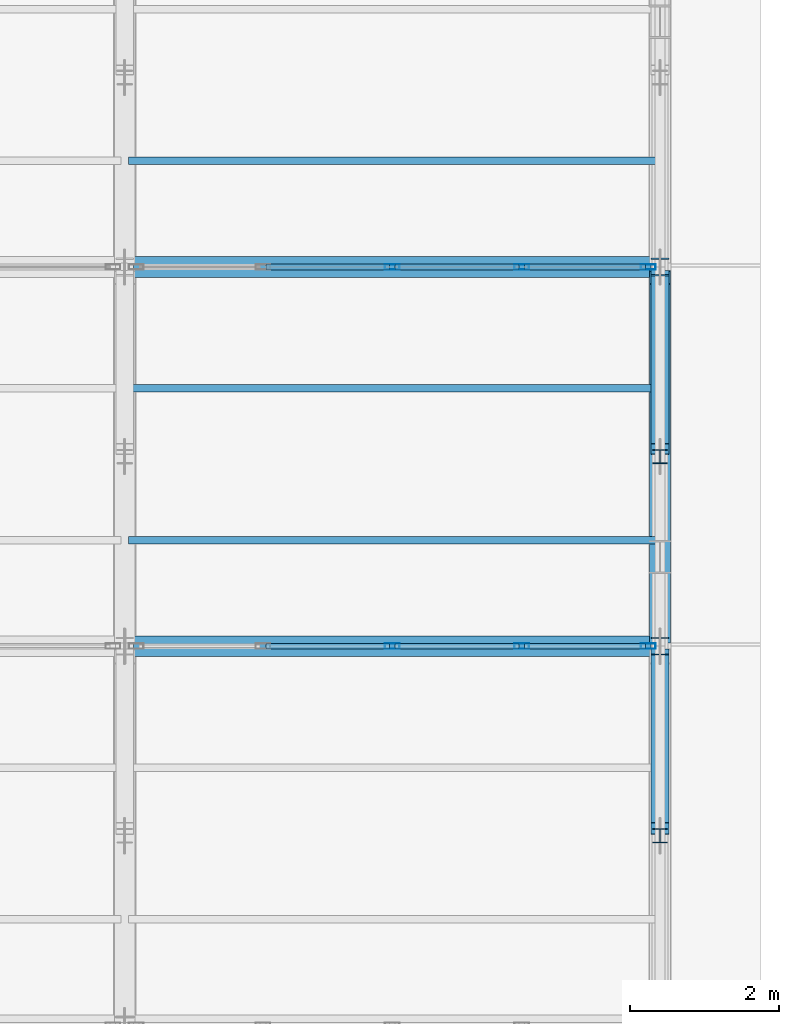
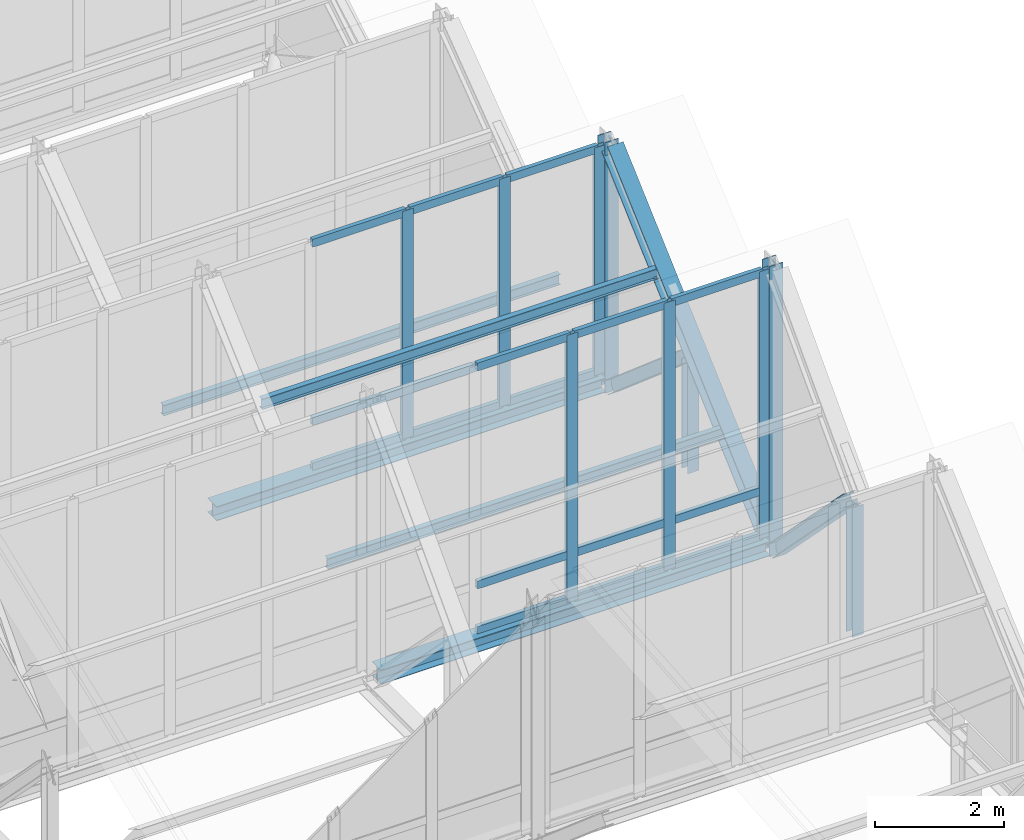
# One storey, part 67 of 157: 34 members, 2 beams, 2 elements without a shape of their own.
"""IFC4 building model written with IfcOpenShell, lengths in metres."""

from ifc_helpers import new_model, si_unit, direction, frame, origin, origin_2d, place, context, subcontext, project, spatial, hollow_rectangle, i_section, extrude, material, material_profile, profile_set, type_object, element, aggregate, save


model = new_model("IFC4")

# Units and contexts
model_context = context("Model", 3, precision=1e-05, world=origin(), true_north=direction((0.0, 1.0)))
body_context = subcontext(model_context, "Body", "Model", "MODEL_VIEW")
ifc_project = project(units=[si_unit("LENGTHUNIT", "METRE"), si_unit("AREAUNIT", "SQUARE_METRE"), si_unit("VOLUMEUNIT", "CUBIC_METRE"), si_unit("PLANEANGLEUNIT", "RADIAN"), si_unit("MASSUNIT", "GRAM", prefix="KILO")], contexts=[model_context])

# Site, building, storey
site_placement = place(None, origin())
site = spatial("IfcSite", under=ifc_project, at=site_placement, CompositionType="ELEMENT")
building_placement = place(site_placement, origin())
building = spatial("IfcBuilding", under=site, at=building_placement, Name="Suanplinth Sawtooth Commons", CompositionType="ELEMENT")
storey_placement = place(building_placement, frame((0.0, 0.0, 9.0)))
storey = spatial("IfcBuildingStorey", under=building, at=storey_placement, Name="L02", CompositionType="ELEMENT", Elevation=9.0)

# Beams
ifc_material_1 = material(Name="Steel S355JR", Category="steel")
ifc_material_profile_1 = material_profile(ifc_material_1, i_section(OverallWidth=0.280029296875, OverallDepth=0.27001953125, WebThickness=0.008056640625, FlangeThickness=0.012939453125, at=origin_2d()), Name="HEA 280")
ifc_profile_set_1 = profile_set([ifc_material_profile_1], Name="Steel S355JR")
beam_type = type_object("IfcBeamType", Name="B-16", PredefinedType="USERDEFINED", material=ifc_profile_set_1)
for number, where, z_axis, x_axis, name in (
    (1, (108.1201171875, 70.800048828125, 2.820068359375), (1.0, 0.0, 0.0), (0.0, 1.0, 0.0), "Sawtooth Valley Girder T5-B7"),
    (2, (108.1201171875, 75.89990234375, 2.820068359375), (1.0, 0.0, 0.0), (0.0, 1.0, 0.0), "Sawtooth Valley Girder T6-B7"),
):
    element("IfcBeam", number, at=place(storey_placement, frame(where, z_axis=z_axis, x_axis=x_axis)), inside=storey, type_object=beam_type, Name=name, ObjectType="GIRDER", PredefinedType="USERDEFINED", context=body_context, shape_type="SweptSolid", body=[
        extrude(i_section(OverallWidth=0.280029296875, OverallDepth=0.27001953125, WebThickness=0.008056640625, FlangeThickness=0.012939453125, at=origin_2d()), origin(), (0.0, 0.0, 1.0), 6.9599609375),
    ])

# Members
ifc_material_profile_2 = material_profile(ifc_material_1, i_section(OverallWidth=0.280029296875, OverallDepth=0.280029296875, WebThickness=0.010498046875, FlangeThickness=0.01806640625, at=origin_2d()), Name="HEB 280")
ifc_profile_set_2 = profile_set([ifc_material_profile_2], Name="Steel S355JR")
member_type_1 = type_object("IfcMemberType", Name="M-02", PredefinedType="CHORD", material=ifc_profile_set_2)
member_1_placement = place(storey_placement, frame((115.199951171875, 70.93994140625, 2.919921875), z_axis=(0.0, 0.740839311711, 0.671682301556), x_axis=(-1.0, 0.0, 0.0)))
element("IfcMember", 3, at=member_1_placement, inside=storey, type_object=member_type_1, Name="Sawtooth Truss T8 Top Chord 5", PredefinedType="CHORD", context=body_context, shape_type="SweptSolid", body=[
    extrude(i_section(OverallWidth=0.280029296875, OverallDepth=0.280029296875, WebThickness=0.010498046875, FlangeThickness=0.01806640625, at=origin_2d()), origin(), (0.0, 0.0, 1.0), 6.50634765625),
])
ifc_material_profile_3 = material_profile(ifc_material_1, i_section(OverallWidth=0.239990234375, OverallDepth=0.22998046875, WebThickness=0.007568359375, FlangeThickness=0.011962890625, at=origin_2d()), Name="HEA 240")
ifc_profile_set_3 = profile_set([ifc_material_profile_3], Name="Steel S355JR")
member_type_2 = type_object("IfcMemberType", Name="M-03", PredefinedType="BRACE", material=ifc_profile_set_3)
member_2_placement = place(storey_placement, frame((115.199951171875, 68.35009765625, 5.1201171875), z_axis=(0.0, 0.701020432133, -0.713141187797), x_axis=(-1.0, 0.0, 0.0)))
element("IfcMember", 4, at=member_2_placement, inside=storey, type_object=member_type_2, Name="Sawtooth Truss T8 Web Diagonal 4", PredefinedType="BRACE", context=body_context, shape_type="SweptSolid", body=[
    extrude(i_section(OverallWidth=0.239990234375, OverallDepth=0.22998046875, WebThickness=0.007568359375, FlangeThickness=0.011962890625, at=origin_2d()), origin(), (0.0, 0.0, 1.0), 3.323486328125),
])
member_3_placement = place(storey_placement, frame((115.199951171875, 73.449951171875, 4.7451171875), z_axis=(0.0, 0.759593581641, -0.65039802485), x_axis=(-1.0, 0.0, 0.0)))
element("IfcMember", 5, at=member_3_placement, inside=storey, type_object=member_type_2, Name="Sawtooth Truss T8 Web Diagonal 5", PredefinedType="BRACE", context=body_context, shape_type="SweptSolid", body=[
    extrude(i_section(OverallWidth=0.239990234375, OverallDepth=0.22998046875, WebThickness=0.007568359375, FlangeThickness=0.011962890625, at=origin_2d()), origin(), (0.0, 0.0, 1.0), 3.067626953125),
])
ifc_material_profile_4 = material_profile(ifc_material_1, i_section(OverallWidth=0.199951171875, OverallDepth=0.18994140625, WebThickness=0.006591796875, FlangeThickness=0.010009765625, at=origin_2d()), Name="HEA 200")
ifc_profile_set_4 = profile_set([ifc_material_profile_4], Name="Steel S355JR")
member_type_3 = type_object("IfcMemberType", Name="M-04", PredefinedType="BRACE", material=ifc_profile_set_4)
member_4_placement = place(storey_placement, frame((115.199951171875, 68.25, 2.64990234375), z_axis=(0.0, 0.0, 1.0), x_axis=(1.0, 0.0, 0.0)))
element("IfcMember", 6, at=member_4_placement, inside=storey, type_object=member_type_3, Name="Sawtooth Truss T8 Mid Web Post 4", PredefinedType="BRACE", context=body_context, shape_type="SweptSolid", body=[
    extrude(i_section(OverallWidth=0.199951171875, OverallDepth=0.18994140625, WebThickness=0.006591796875, FlangeThickness=0.010009765625, at=origin_2d()), origin(), (0.0, 0.0, 1.0), 2.4501953125),
])
member_5_placement = place(storey_placement, frame((115.199951171875, 73.35009765625, 2.64990234375), z_axis=(0.0, 0.0, 1.0), x_axis=(1.0, 0.0, 0.0)))
element("IfcMember", 7, at=member_5_placement, inside=storey, type_object=member_type_3, Name="Sawtooth Truss T8 Mid Web Post 5", PredefinedType="BRACE", context=body_context, shape_type="SweptSolid", body=[
    extrude(i_section(OverallWidth=0.199951171875, OverallDepth=0.18994140625, WebThickness=0.006591796875, FlangeThickness=0.010009765625, at=origin_2d()), origin(), (0.0, 0.0, 1.0), 2.0751953125),
])
ifc_material_profile_5 = material_profile(ifc_material_1, i_section(OverallWidth=0.239990234375, OverallDepth=0.239990234375, WebThickness=0.010009765625, FlangeThickness=0.01708984375, at=origin_2d()), Name="HEB 240")
ifc_profile_set_5 = profile_set([ifc_material_profile_5], Name="Steel S355JR")
member_type_4 = type_object("IfcMemberType", Name="M-05", PredefinedType="POST", material=ifc_profile_set_5)
member_6_placement = place(storey_placement, frame((115.199951171875, 70.800048828125, 2.64990234375), z_axis=(0.0, 0.0, 1.0), x_axis=(1.0, 0.0, 0.0)))
element("IfcMember", 8, at=member_6_placement, inside=storey, type_object=member_type_4, Name="Sawtooth Truss T8 Clerestory Post 4", PredefinedType="POST", context=body_context, shape_type="SweptSolid", body=[
    extrude(i_section(OverallWidth=0.239990234375, OverallDepth=0.239990234375, WebThickness=0.010009765625, FlangeThickness=0.01708984375, at=origin_2d()), origin(), (0.0, 0.0, 1.0), 5.489990234375),
])
member_7_placement = place(storey_placement, frame((115.199951171875, 75.89990234375, 2.64990234375), z_axis=(0.0, 0.0, 1.0), x_axis=(1.0, 0.0, 0.0)))
element("IfcMember", 9, at=member_7_placement, inside=storey, type_object=member_type_4, Name="Sawtooth Truss T8 Clerestory Post 5", PredefinedType="POST", context=body_context, shape_type="SweptSolid", body=[
    extrude(i_section(OverallWidth=0.239990234375, OverallDepth=0.239990234375, WebThickness=0.010009765625, FlangeThickness=0.01708984375, at=origin_2d()), origin(), (0.0, 0.0, 1.0), 4.739990234375),
])
ifc_material_2 = material(Name="Steel SS400", Category="steel")
ifc_material_profile_6 = material_profile(ifc_material_2, i_section(OverallWidth=0.10009765625, OverallDepth=0.199951171875, WebThickness=0.005615234375, FlangeThickness=0.008544921875, at=origin_2d()), Name="IPE 200")
ifc_profile_set_6 = profile_set([ifc_material_profile_6], Name="Steel SS400")
member_type_5 = type_object("IfcMemberType", Name="M-06", PredefinedType="PURLIN", material=ifc_profile_set_6)
for number, where, z_axis, x_axis, name in (
    (10, (108.050048828125, 72.22802734375, 4.067138671875), (1.0, 0.0, 0.0), (0.0, 1.0, 0.0), "Sawtooth Roof Purlin T5-B7-P1"),
    (11, (108.050048828125, 74.26806640625, 5.84716796875), (1.0, 0.0, 0.0), (0.0, 1.0, 0.0), "Sawtooth Roof Purlin T5-B7-P2"),
    (12, (108.050048828125, 77.327880859375, 3.87353515625), (1.0, 0.0, 0.0), (0.0, 1.0, 0.0), "Sawtooth Roof Purlin T6-B7-P1"),
):
    element("IfcMember", number, at=place(storey_placement, frame(where, z_axis=z_axis, x_axis=x_axis)), inside=storey, type_object=member_type_5, Name=name, PredefinedType="PURLIN", context=body_context, shape_type="SweptSolid", body=[
        extrude(i_section(OverallWidth=0.10009765625, OverallDepth=0.199951171875, WebThickness=0.005615234375, FlangeThickness=0.008544921875, at=origin_2d()), origin(), (0.0, 0.0, 1.0), 7.099853515625),
    ])

# Curtain wall, members
ifc_material_3 = material(Name="Anodized aluminium and low-E glazing", Category="aluminium")
curtain_wall_type = type_object("IfcCurtainWallType", Name="CW-03", PredefinedType="USERDEFINED", material=ifc_material_3)
curtain_wall_1_placement = place(storey_placement, origin())
curtain_wall_1 = element("IfcCurtainWall", 13, at=curtain_wall_1_placement, inside=storey, type_object=curtain_wall_type, Name="Curtain Wall CW-SAW-T4-B7", ObjectType="CURTAIN WALL", PredefinedType="USERDEFINED")
ifc_material_4 = material(Name="Anodized aluminium 6063-T6", Category="aluminium")
ifc_material_profile_7 = material_profile(ifc_material_4, hollow_rectangle(XDim=0.074951171875, YDim=0.199951171875, WallThickness=0.0048828125, at=origin_2d()), Name="ALU-MUL 75x200")
ifc_profile_set_7 = profile_set([ifc_material_profile_7], Name="Anodized aluminium 6063-T6")
member_type_6 = type_object("IfcMemberType", Name="M-14", PredefinedType="MULLION", material=ifc_profile_set_7)
member_8_placement = place(storey_placement, frame((111.60009765625, 70.800048828125, 2.97998046875), z_axis=(0.0, 0.0, 1.0), x_axis=(0.0, 1.0, 0.0)))
member_8 = element("IfcMember", 14, at=member_8_placement, type_object=member_type_6, Name="CW-03 mullion 3", PredefinedType="MULLION", context=body_context, shape_type="SweptSolid", body=[
    extrude(hollow_rectangle(XDim=0.074951171875, YDim=0.199951171875, WallThickness=0.0048828125, at=origin_2d()), origin(), (0.0, 0.0, 1.0), 5.06005859375),
])
member_9_placement = place(storey_placement, frame((113.340087890625, 70.800048828125, 2.97998046875), z_axis=(0.0, 0.0, 1.0), x_axis=(0.0, 1.0, 0.0)))
member_9 = element("IfcMember", 15, at=member_9_placement, type_object=member_type_6, Name="CW-03 mullion 4", PredefinedType="MULLION", context=body_context, shape_type="SweptSolid", body=[
    extrude(hollow_rectangle(XDim=0.074951171875, YDim=0.199951171875, WallThickness=0.0048828125, at=origin_2d()), origin(), (0.0, 0.0, 1.0), 5.06005859375),
])
member_10_placement = place(storey_placement, frame((115.04248046875, 70.800048828125, 2.97998046875), z_axis=(0.0, 0.0, 1.0), x_axis=(0.0, 1.0, 0.0)))
member_10 = element("IfcMember", 16, at=member_10_placement, type_object=member_type_6, Name="CW-03 mullion 5", PredefinedType="MULLION", context=body_context, shape_type="SweptSolid", body=[
    extrude(hollow_rectangle(XDim=0.074951171875, YDim=0.199951171875, WallThickness=0.0048828125, at=origin_2d()), origin(), (0.0, 0.0, 1.0), 5.06005859375),
])

curtain_wall_2_placement = place(storey_placement, origin())
curtain_wall_2 = element("IfcCurtainWall", 17, at=curtain_wall_2_placement, inside=storey, type_object=curtain_wall_type, Name="Curtain Wall CW-SAW-T5-B7", ObjectType="CURTAIN WALL", PredefinedType="USERDEFINED")
member_11_placement = place(storey_placement, frame((111.60009765625, 75.89990234375, 2.97998046875), z_axis=(0.0, 0.0, 1.0), x_axis=(0.0, 1.0, 0.0)))
member_11 = element("IfcMember", 18, at=member_11_placement, type_object=member_type_6, Name="CW-03 mullion 3", PredefinedType="MULLION", context=body_context, shape_type="SweptSolid", body=[
    extrude(hollow_rectangle(XDim=0.074951171875, YDim=0.199951171875, WallThickness=0.0048828125, at=origin_2d()), origin(), (0.0, 0.0, 1.0), 4.31005859375),
])
member_12_placement = place(storey_placement, frame((113.340087890625, 75.89990234375, 2.97998046875), z_axis=(0.0, 0.0, 1.0), x_axis=(0.0, 1.0, 0.0)))
member_12 = element("IfcMember", 19, at=member_12_placement, type_object=member_type_6, Name="CW-03 mullion 4", PredefinedType="MULLION", context=body_context, shape_type="SweptSolid", body=[
    extrude(hollow_rectangle(XDim=0.074951171875, YDim=0.199951171875, WallThickness=0.0048828125, at=origin_2d()), origin(), (0.0, 0.0, 1.0), 4.31005859375),
])
member_13_placement = place(storey_placement, frame((115.04248046875, 75.89990234375, 2.97998046875), z_axis=(0.0, 0.0, 1.0), x_axis=(0.0, 1.0, 0.0)))
member_13 = element("IfcMember", 20, at=member_13_placement, type_object=member_type_6, Name="CW-03 mullion 5", PredefinedType="MULLION", context=body_context, shape_type="SweptSolid", body=[
    extrude(hollow_rectangle(XDim=0.074951171875, YDim=0.199951171875, WallThickness=0.0048828125, at=origin_2d()), origin(), (0.0, 0.0, 1.0), 4.31005859375),
])

# Member
ifc_material_profile_8 = material_profile(ifc_material_4, hollow_rectangle(XDim=0.074951171875, YDim=0.14990234375, WallThickness=0.00439453125, at=origin_2d()), Name="ALU-TRN 75x150")
ifc_profile_set_8 = profile_set([ifc_material_profile_8], Name="Anodized aluminium 6063-T6")
member_type_7 = type_object("IfcMemberType", Name="M-16", PredefinedType="USERDEFINED", material=ifc_profile_set_8)
member_14_placement = place(storey_placement, frame((109.8974609375, 70.800048828125, 3.017578125), z_axis=(1.0, 0.0, 0.0), x_axis=(0.0, 1.0, 0.0)))
member_14 = element("IfcMember", 21, at=member_14_placement, type_object=member_type_7, Name="CW-03 transom 2.1", ObjectType="TRANSOM", PredefinedType="USERDEFINED", context=body_context, shape_type="SweptSolid", body=[
    extrude(hollow_rectangle(XDim=0.074951171875, YDim=0.14990234375, WallThickness=0.00439453125, at=origin_2d()), origin(), (0.0, 0.0, 1.0), 1.6650390625),
])

member_15_placement = place(storey_placement, frame((109.8974609375, 70.800048828125, 3.8798828125), z_axis=(1.0, 0.0, 0.0), x_axis=(0.0, 1.0, 0.0)))
member_15 = element("IfcMember", 22, at=member_15_placement, type_object=member_type_7, Name="CW-03 transom 2.2", ObjectType="TRANSOM", PredefinedType="USERDEFINED", context=body_context, shape_type="SweptSolid", body=[
    extrude(hollow_rectangle(XDim=0.074951171875, YDim=0.14990234375, WallThickness=0.00439453125, at=origin_2d()), origin(), (0.0, 0.0, 1.0), 1.6650390625),
])

member_16_placement = place(storey_placement, frame((109.8974609375, 70.800048828125, 8.00244140625), z_axis=(1.0, 0.0, 0.0), x_axis=(0.0, 1.0, 0.0)))
member_16 = element("IfcMember", 23, at=member_16_placement, type_object=member_type_7, Name="CW-03 transom 2.3", ObjectType="TRANSOM", PredefinedType="USERDEFINED", context=body_context, shape_type="SweptSolid", body=[
    extrude(hollow_rectangle(XDim=0.074951171875, YDim=0.14990234375, WallThickness=0.00439453125, at=origin_2d()), origin(), (0.0, 0.0, 1.0), 1.6650390625),
])

member_17_placement = place(storey_placement, frame((111.637451171875, 70.800048828125, 3.017578125), z_axis=(1.0, 0.0, 0.0), x_axis=(0.0, 1.0, 0.0)))
member_17 = element("IfcMember", 24, at=member_17_placement, type_object=member_type_7, Name="CW-03 transom 3.1", ObjectType="TRANSOM", PredefinedType="USERDEFINED", context=body_context, shape_type="SweptSolid", body=[
    extrude(hollow_rectangle(XDim=0.074951171875, YDim=0.14990234375, WallThickness=0.00439453125, at=origin_2d()), origin(), (0.0, 0.0, 1.0), 1.6650390625),
])

member_18_placement = place(storey_placement, frame((111.637451171875, 70.800048828125, 3.8798828125), z_axis=(1.0, 0.0, 0.0), x_axis=(0.0, 1.0, 0.0)))
member_18 = element("IfcMember", 25, at=member_18_placement, type_object=member_type_7, Name="CW-03 transom 3.2", ObjectType="TRANSOM", PredefinedType="USERDEFINED", context=body_context, shape_type="SweptSolid", body=[
    extrude(hollow_rectangle(XDim=0.074951171875, YDim=0.14990234375, WallThickness=0.00439453125, at=origin_2d()), origin(), (0.0, 0.0, 1.0), 1.6650390625),
])

member_19_placement = place(storey_placement, frame((111.637451171875, 70.800048828125, 8.00244140625), z_axis=(1.0, 0.0, 0.0), x_axis=(0.0, 1.0, 0.0)))
member_19 = element("IfcMember", 26, at=member_19_placement, type_object=member_type_7, Name="CW-03 transom 3.3", ObjectType="TRANSOM", PredefinedType="USERDEFINED", context=body_context, shape_type="SweptSolid", body=[
    extrude(hollow_rectangle(XDim=0.074951171875, YDim=0.14990234375, WallThickness=0.00439453125, at=origin_2d()), origin(), (0.0, 0.0, 1.0), 1.6650390625),
])

member_20_placement = place(storey_placement, frame((113.37744140625, 70.800048828125, 3.017578125), z_axis=(1.0, 0.0, 0.0), x_axis=(0.0, 1.0, 0.0)))
member_20 = element("IfcMember", 27, at=member_20_placement, type_object=member_type_7, Name="CW-03 transom 4.1", ObjectType="TRANSOM", PredefinedType="USERDEFINED", context=body_context, shape_type="SweptSolid", body=[
    extrude(hollow_rectangle(XDim=0.074951171875, YDim=0.14990234375, WallThickness=0.00439453125, at=origin_2d()), origin(), (0.0, 0.0, 1.0), 1.62744140625),
])

member_21_placement = place(storey_placement, frame((113.37744140625, 70.800048828125, 3.8798828125), z_axis=(1.0, 0.0, 0.0), x_axis=(0.0, 1.0, 0.0)))
member_21 = element("IfcMember", 28, at=member_21_placement, type_object=member_type_7, Name="CW-03 transom 4.2", ObjectType="TRANSOM", PredefinedType="USERDEFINED", context=body_context, shape_type="SweptSolid", body=[
    extrude(hollow_rectangle(XDim=0.074951171875, YDim=0.14990234375, WallThickness=0.00439453125, at=origin_2d()), origin(), (0.0, 0.0, 1.0), 1.62744140625),
])

member_22_placement = place(storey_placement, frame((113.37744140625, 70.800048828125, 8.00244140625), z_axis=(1.0, 0.0, 0.0), x_axis=(0.0, 1.0, 0.0)))
member_22 = element("IfcMember", 29, at=member_22_placement, type_object=member_type_7, Name="CW-03 transom 4.3", ObjectType="TRANSOM", PredefinedType="USERDEFINED", context=body_context, shape_type="SweptSolid", body=[
    extrude(hollow_rectangle(XDim=0.074951171875, YDim=0.14990234375, WallThickness=0.00439453125, at=origin_2d()), origin(), (0.0, 0.0, 1.0), 1.62744140625),
])

aggregate(curtain_wall_1, [member_8, member_9, member_10, member_14, member_15, member_16, member_17, member_18, member_19, member_20, member_21, member_22])

member_23_placement = place(storey_placement, frame((109.8974609375, 75.89990234375, 3.017578125), z_axis=(1.0, 0.0, 0.0), x_axis=(0.0, 1.0, 0.0)))
member_23 = element("IfcMember", 30, at=member_23_placement, type_object=member_type_7, Name="CW-03 transom 2.1", ObjectType="TRANSOM", PredefinedType="USERDEFINED", context=body_context, shape_type="SweptSolid", body=[
    extrude(hollow_rectangle(XDim=0.074951171875, YDim=0.14990234375, WallThickness=0.00439453125, at=origin_2d()), origin(), (0.0, 0.0, 1.0), 1.6650390625),
])

member_24_placement = place(storey_placement, frame((109.8974609375, 75.89990234375, 3.8798828125), z_axis=(1.0, 0.0, 0.0), x_axis=(0.0, 1.0, 0.0)))
member_24 = element("IfcMember", 31, at=member_24_placement, type_object=member_type_7, Name="CW-03 transom 2.2", ObjectType="TRANSOM", PredefinedType="USERDEFINED", context=body_context, shape_type="SweptSolid", body=[
    extrude(hollow_rectangle(XDim=0.074951171875, YDim=0.14990234375, WallThickness=0.00439453125, at=origin_2d()), origin(), (0.0, 0.0, 1.0), 1.6650390625),
])

member_25_placement = place(storey_placement, frame((109.8974609375, 75.89990234375, 7.25244140625), z_axis=(1.0, 0.0, 0.0), x_axis=(0.0, 1.0, 0.0)))
member_25 = element("IfcMember", 32, at=member_25_placement, type_object=member_type_7, Name="CW-03 transom 2.3", ObjectType="TRANSOM", PredefinedType="USERDEFINED", context=body_context, shape_type="SweptSolid", body=[
    extrude(hollow_rectangle(XDim=0.074951171875, YDim=0.14990234375, WallThickness=0.00439453125, at=origin_2d()), origin(), (0.0, 0.0, 1.0), 1.6650390625),
])

member_26_placement = place(storey_placement, frame((111.637451171875, 75.89990234375, 3.017578125), z_axis=(1.0, 0.0, 0.0), x_axis=(0.0, 1.0, 0.0)))
member_26 = element("IfcMember", 33, at=member_26_placement, type_object=member_type_7, Name="CW-03 transom 3.1", ObjectType="TRANSOM", PredefinedType="USERDEFINED", context=body_context, shape_type="SweptSolid", body=[
    extrude(hollow_rectangle(XDim=0.074951171875, YDim=0.14990234375, WallThickness=0.00439453125, at=origin_2d()), origin(), (0.0, 0.0, 1.0), 1.6650390625),
])

member_27_placement = place(storey_placement, frame((111.637451171875, 75.89990234375, 3.8798828125), z_axis=(1.0, 0.0, 0.0), x_axis=(0.0, 1.0, 0.0)))
member_27 = element("IfcMember", 34, at=member_27_placement, type_object=member_type_7, Name="CW-03 transom 3.2", ObjectType="TRANSOM", PredefinedType="USERDEFINED", context=body_context, shape_type="SweptSolid", body=[
    extrude(hollow_rectangle(XDim=0.074951171875, YDim=0.14990234375, WallThickness=0.00439453125, at=origin_2d()), origin(), (0.0, 0.0, 1.0), 1.6650390625),
])

member_28_placement = place(storey_placement, frame((111.637451171875, 75.89990234375, 7.25244140625), z_axis=(1.0, 0.0, 0.0), x_axis=(0.0, 1.0, 0.0)))
member_28 = element("IfcMember", 35, at=member_28_placement, type_object=member_type_7, Name="CW-03 transom 3.3", ObjectType="TRANSOM", PredefinedType="USERDEFINED", context=body_context, shape_type="SweptSolid", body=[
    extrude(hollow_rectangle(XDim=0.074951171875, YDim=0.14990234375, WallThickness=0.00439453125, at=origin_2d()), origin(), (0.0, 0.0, 1.0), 1.6650390625),
])

member_29_placement = place(storey_placement, frame((113.37744140625, 75.89990234375, 3.017578125), z_axis=(1.0, 0.0, 0.0), x_axis=(0.0, 1.0, 0.0)))
member_29 = element("IfcMember", 36, at=member_29_placement, type_object=member_type_7, Name="CW-03 transom 4.1", ObjectType="TRANSOM", PredefinedType="USERDEFINED", context=body_context, shape_type="SweptSolid", body=[
    extrude(hollow_rectangle(XDim=0.074951171875, YDim=0.14990234375, WallThickness=0.00439453125, at=origin_2d()), origin(), (0.0, 0.0, 1.0), 1.62744140625),
])

member_30_placement = place(storey_placement, frame((113.37744140625, 75.89990234375, 3.8798828125), z_axis=(1.0, 0.0, 0.0), x_axis=(0.0, 1.0, 0.0)))
member_30 = element("IfcMember", 37, at=member_30_placement, type_object=member_type_7, Name="CW-03 transom 4.2", ObjectType="TRANSOM", PredefinedType="USERDEFINED", context=body_context, shape_type="SweptSolid", body=[
    extrude(hollow_rectangle(XDim=0.074951171875, YDim=0.14990234375, WallThickness=0.00439453125, at=origin_2d()), origin(), (0.0, 0.0, 1.0), 1.62744140625),
])

member_31_placement = place(storey_placement, frame((113.37744140625, 75.89990234375, 7.25244140625), z_axis=(1.0, 0.0, 0.0), x_axis=(0.0, 1.0, 0.0)))
member_31 = element("IfcMember", 38, at=member_31_placement, type_object=member_type_7, Name="CW-03 transom 4.3", ObjectType="TRANSOM", PredefinedType="USERDEFINED", context=body_context, shape_type="SweptSolid", body=[
    extrude(hollow_rectangle(XDim=0.074951171875, YDim=0.14990234375, WallThickness=0.00439453125, at=origin_2d()), origin(), (0.0, 0.0, 1.0), 1.62744140625),
])

aggregate(curtain_wall_2, [member_11, member_12, member_13, member_23, member_24, member_25, member_26, member_27, member_28, member_29, member_30, member_31])

save(model, "model.ifc")
